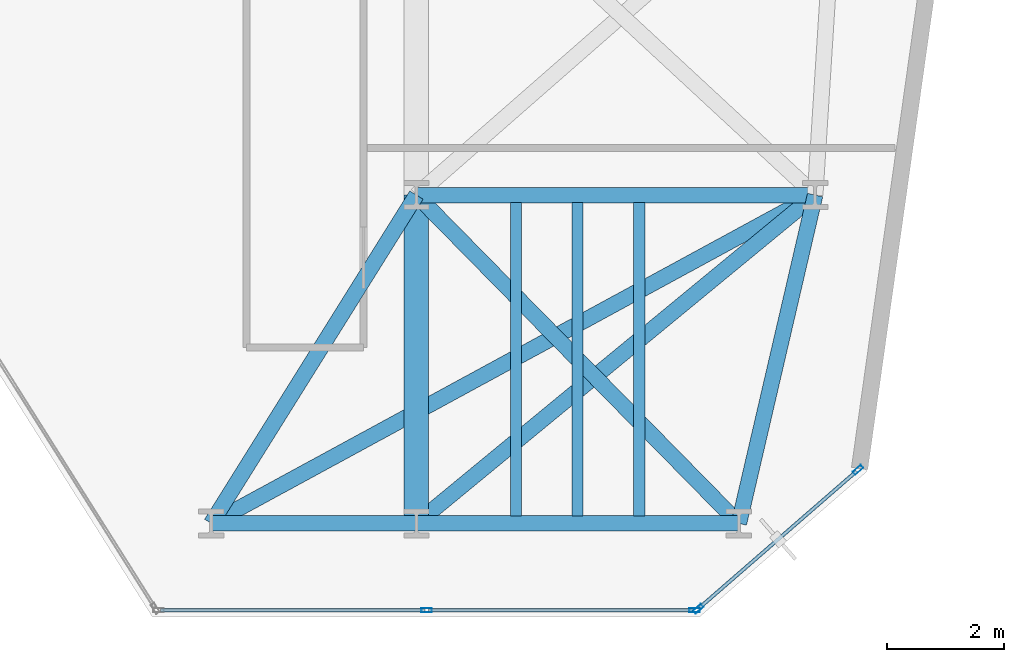
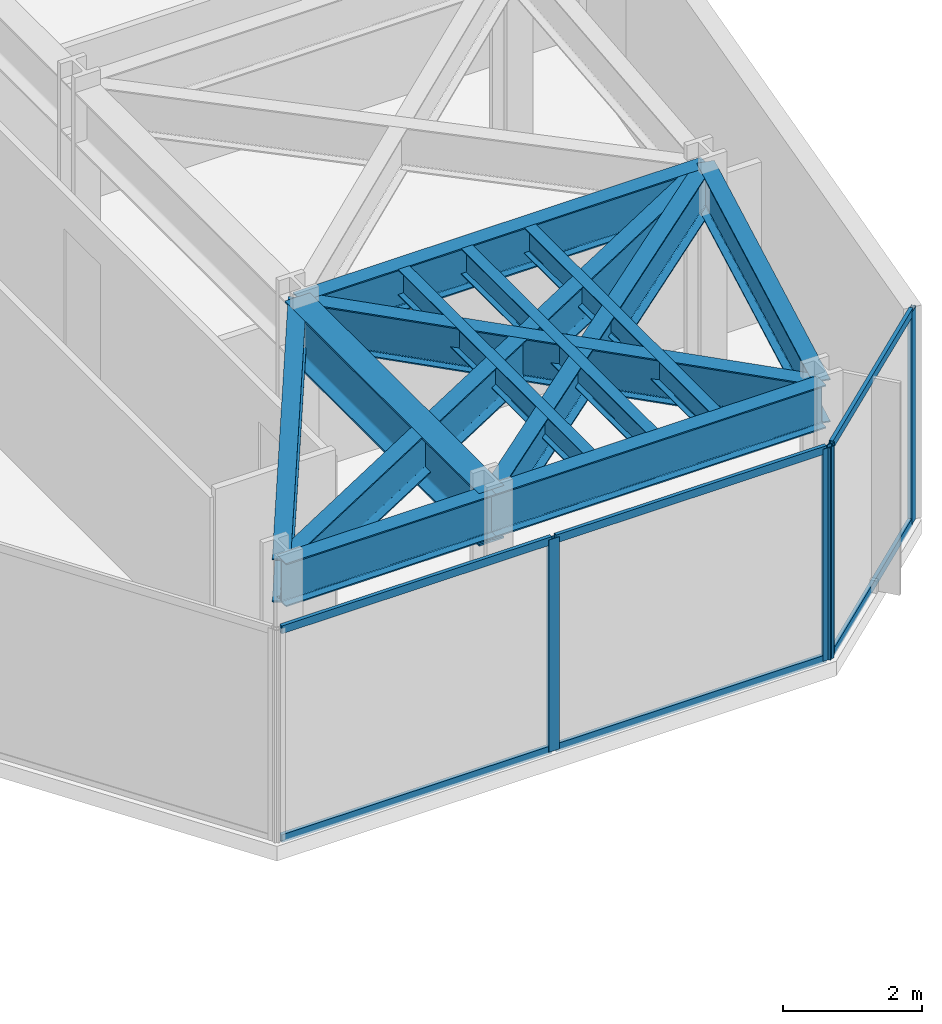
# One storey, part 13 of 25: 12 beams, 10 members, 2 elements without a shape of their own.
"""IFC4 building model written with IfcOpenShell, lengths in metres."""

from ifc_helpers import new_model, si_unit, direction, frame, origin, origin_2d, place, context, subcontext, project, spatial, hollow_rectangle, i_section, extrude, material, layer, layer_set, material_profile, profile_set, type_object, element, aggregate, save


model = new_model("IFC4")

# Units and contexts
model_context = context("Model", 3, precision=1e-05, world=origin(), true_north=direction((0.0, 1.0)))
body_context = subcontext(model_context, "Body", "Model", "MODEL_VIEW")
ifc_project = project(units=[si_unit("LENGTHUNIT", "METRE"), si_unit("AREAUNIT", "SQUARE_METRE"), si_unit("VOLUMEUNIT", "CUBIC_METRE"), si_unit("PLANEANGLEUNIT", "RADIAN"), si_unit("MASSUNIT", "GRAM", prefix="KILO")], contexts=[model_context])

# Site, building, storey
site_placement = place(None, origin())
site = spatial("IfcSite", under=ifc_project, at=site_placement, CompositionType="ELEMENT")
building_placement = place(site_placement, origin())
building = spatial("IfcBuilding", under=site, at=building_placement, Name="Kravanh Interchange Tower", CompositionType="ELEMENT")
storey_placement = place(building_placement, frame((0.0, 0.0, 65.5)))
storey = spatial("IfcBuildingStorey", under=building, at=storey_placement, Name="L15", CompositionType="ELEMENT", Elevation=65.5)

# Curtain wall, members
ifc_material_1 = material(Name="Anodised Bronze Aluminium", Category="aluminium")
ifc_layer = layer(ifc_material_1, 0.179931640625)
ifc_layer_set = layer_set([ifc_layer], Name="Unitised Curtain Wall System CW-Z1 Lower Office")
curtain_wall_type = type_object("IfcCurtainWallType", Name="Unitised Curtain Wall System CW-Z1 Lower Office", PredefinedType="NOTDEFINED", material=ifc_layer_set)
curtain_wall_1_placement = place(storey_placement, origin())
curtain_wall_1 = element("IfcCurtainWall", 1, at=curtain_wall_1_placement, inside=storey, type_object=curtain_wall_type, Name="L15 Unitised Curtain Wall CW-L15-02", PredefinedType="NOTDEFINED")
ifc_material_2 = material(Name="Anodised Bronze Aluminium", Category="aluminium")
ifc_material_profile_1 = material_profile(ifc_material_2, hollow_rectangle(XDim=0.070068359375, YDim=0.179931640625, WallThickness=0.00390625, at=origin_2d()), Name="ALU70X180X4")
ifc_profile_set_1 = profile_set([ifc_material_profile_1], Name="Anodised Bronze Aluminium")
member_type_1 = type_object("IfcMemberType", Name="Curtain Wall Mullion ALU70X180X4 Bronze", PredefinedType="MULLION", material=ifc_profile_set_1)
member_1_placement = place(storey_placement, frame((63.533203125, 3.513916015625, 0.0), z_axis=(0.0, 0.0, 1.0), x_axis=(0.656060422341, -0.754708368999, 0.0)))
member_1 = element("IfcMember", 2, at=member_1_placement, type_object=member_type_1, Name="CW-Z1 mullion 1", PredefinedType="MULLION", context=body_context, shape_type="SweptSolid", body=[
    extrude(hollow_rectangle(XDim=0.070068359375, YDim=0.179931640625, WallThickness=0.00390625, at=origin_2d()), origin(), (0.0, 0.0, 1.0), 3.739990234375),
])
member_2_placement = place(storey_placement, frame((60.805908203125, 1.14306640625, 0.0), z_axis=(0.0, 0.0, 1.0), x_axis=(0.656060422341, -0.754708368999, 0.0)))
member_2 = element("IfcMember", 3, at=member_2_placement, type_object=member_type_1, Name="CW-Z1 mullion 2", PredefinedType="MULLION", context=body_context, shape_type="SweptSolid", body=[
    extrude(hollow_rectangle(XDim=0.070068359375, YDim=0.179931640625, WallThickness=0.00390625, at=origin_2d()), origin(), (0.0, 0.0, 1.0), 3.739990234375),
])

curtain_wall_2_placement = place(storey_placement, origin())
curtain_wall_2 = element("IfcCurtainWall", 4, at=curtain_wall_2_placement, inside=storey, type_object=curtain_wall_type, Name="L15 Unitised Curtain Wall CW-L15-03", PredefinedType="NOTDEFINED")
member_3_placement = place(storey_placement, frame((60.744384765625, 1.1201171875, 0.0), z_axis=(0.0, 0.0, 1.0), x_axis=(0.0, -1.0, 0.0)))
member_3 = element("IfcMember", 5, at=member_3_placement, type_object=member_type_1, Name="CW-Z1 mullion 1", PredefinedType="MULLION", context=body_context, shape_type="SweptSolid", body=[
    extrude(hollow_rectangle(XDim=0.070068359375, YDim=0.179931640625, WallThickness=0.00390625, at=origin_2d()), origin(), (0.0, 0.0, 1.0), 3.739990234375),
])
member_4_placement = place(storey_placement, frame((56.1728515625, 1.1201171875, 0.0), z_axis=(0.0, 0.0, 1.0), x_axis=(0.0, -1.0, 0.0)))
member_4 = element("IfcMember", 6, at=member_4_placement, type_object=member_type_1, Name="CW-Z1 mullion 2", PredefinedType="MULLION", context=body_context, shape_type="SweptSolid", body=[
    extrude(hollow_rectangle(XDim=0.070068359375, YDim=0.179931640625, WallThickness=0.00390625, at=origin_2d()), origin(), (0.0, 0.0, 1.0), 3.739990234375),
])

# Member
ifc_material_3 = material(Name="Anodised Bronze Aluminium", Category="aluminium")
ifc_material_profile_2 = material_profile(ifc_material_3, hollow_rectangle(XDim=0.06005859375, YDim=0.139892578125, WallThickness=0.00390625, at=origin_2d()), Name="ALU60X140X4")
ifc_profile_set_2 = profile_set([ifc_material_profile_2], Name="Anodised Bronze Aluminium")
member_type_2 = type_object("IfcMemberType", Name="Curtain Wall Transom ALU60X140X4 Bronze", PredefinedType="USERDEFINED", material=ifc_profile_set_2)
member_5_placement = place(storey_placement, frame((63.5068359375, 3.490966796875, 0.030029296875), z_axis=(-0.754710815466, -0.656057608004, 0.0), x_axis=(0.656057608004, -0.754710815466, 0.0)))
member_5 = element("IfcMember", 7, at=member_5_placement, type_object=member_type_2, Name="CW-Z1 transom 1.1", ObjectType="TRANSOM", PredefinedType="USERDEFINED", context=body_context, shape_type="SweptSolid", body=[
    extrude(hollow_rectangle(XDim=0.06005859375, YDim=0.139892578125, WallThickness=0.00390625, at=origin_2d()), origin(), (0.0, 0.0, 1.0), 3.543701171875),
])

member_6_placement = place(storey_placement, frame((63.5068359375, 3.490966796875, 3.7099609375), z_axis=(-0.754710815466, -0.656057608004, 0.0), x_axis=(0.656057608004, -0.754710815466, 0.0)))
member_6 = element("IfcMember", 8, at=member_6_placement, type_object=member_type_2, Name="CW-Z1 transom 1.2", ObjectType="TRANSOM", PredefinedType="USERDEFINED", context=body_context, shape_type="SweptSolid", body=[
    extrude(hollow_rectangle(XDim=0.06005859375, YDim=0.139892578125, WallThickness=0.00390625, at=origin_2d()), origin(), (0.0, 0.0, 1.0), 3.543701171875),
])

aggregate(curtain_wall_1, [member_1, member_2, member_5, member_6])

member_7_placement = place(storey_placement, frame((60.70947265625, 1.1201171875, 0.030029296875), z_axis=(-1.0, 0.0, 0.0), x_axis=(0.0, -1.0, 0.0)))
member_7 = element("IfcMember", 9, at=member_7_placement, type_object=member_type_2, Name="CW-Z1 transom 1.1", ObjectType="TRANSOM", PredefinedType="USERDEFINED", context=body_context, shape_type="SweptSolid", body=[
    extrude(hollow_rectangle(XDim=0.06005859375, YDim=0.139892578125, WallThickness=0.00390625, at=origin_2d()), origin(), (0.0, 0.0, 1.0), 4.501708984375),
])

member_8_placement = place(storey_placement, frame((60.70947265625, 1.1201171875, 3.7099609375), z_axis=(-1.0, 0.0, 0.0), x_axis=(0.0, -1.0, 0.0)))
member_8 = element("IfcMember", 10, at=member_8_placement, type_object=member_type_2, Name="CW-Z1 transom 1.2", ObjectType="TRANSOM", PredefinedType="USERDEFINED", context=body_context, shape_type="SweptSolid", body=[
    extrude(hollow_rectangle(XDim=0.06005859375, YDim=0.139892578125, WallThickness=0.00390625, at=origin_2d()), origin(), (0.0, 0.0, 1.0), 4.501708984375),
])

member_9_placement = place(storey_placement, frame((56.1376953125, 1.1201171875, 0.030029296875), z_axis=(-1.0, 0.0, 0.0), x_axis=(0.0, -1.0, 0.0)))
member_9 = element("IfcMember", 11, at=member_9_placement, type_object=member_type_2, Name="CW-Z1 transom 2.1", ObjectType="TRANSOM", PredefinedType="USERDEFINED", context=body_context, shape_type="SweptSolid", body=[
    extrude(hollow_rectangle(XDim=0.06005859375, YDim=0.139892578125, WallThickness=0.00390625, at=origin_2d()), origin(), (0.0, 0.0, 1.0), 4.50146484375),
])

member_10_placement = place(storey_placement, frame((56.1376953125, 1.1201171875, 3.7099609375), z_axis=(-1.0, 0.0, 0.0), x_axis=(0.0, -1.0, 0.0)))
member_10 = element("IfcMember", 12, at=member_10_placement, type_object=member_type_2, Name="CW-Z1 transom 2.2", ObjectType="TRANSOM", PredefinedType="USERDEFINED", context=body_context, shape_type="SweptSolid", body=[
    extrude(hollow_rectangle(XDim=0.06005859375, YDim=0.139892578125, WallThickness=0.00390625, at=origin_2d()), origin(), (0.0, 0.0, 1.0), 4.50146484375),
])

aggregate(curtain_wall_2, [member_3, member_4, member_7, member_8, member_9, member_10])

# Beams
ifc_material_4 = material(Name="Structural Steel S355", Category="steel")
ifc_material_profile_3 = material_profile(ifc_material_4, i_section(OverallWidth=0.41796875, OverallDepth=0.927001953125, WebThickness=0.019287109375, FlangeThickness=0.031982421875, FilletRadius=0.028076171875, at=origin_2d()), Name="W36X231")
ifc_profile_set_3 = profile_set([ifc_material_profile_3], Name="Structural Steel S355")
beam_type_1 = type_object("IfcBeamType", Name="Floor Beam W36X231 Structural Steel S355", PredefinedType="BEAM", material=ifc_profile_set_3)
beam_1_placement = place(storey_placement, frame((56.0, 2.60009765625, 3.276611328125), z_axis=(0.0, 1.0, 0.0), x_axis=(-1.0, 0.0, 0.0)))
element("IfcBeam", 13, at=beam_1_placement, inside=storey, type_object=beam_type_1, Name="L15 Primary Floor Girder 129", PredefinedType="BEAM", context=body_context, shape_type="SweptSolid", body=[
    extrude(i_section(OverallWidth=0.41796875, OverallDepth=0.927001953125, WebThickness=0.019287109375, FlangeThickness=0.031982421875, FilletRadius=0.028076171875, at=origin_2d()), origin(), (0.0, 0.0, 1.0), 5.599853515625),
])
ifc_material_5 = material(Name="Structural Steel S355", Category="steel")
ifc_material_profile_4 = material_profile(ifc_material_5, i_section(OverallWidth=0.18994140625, OverallDepth=0.45703125, WebThickness=0.009033203125, FlangeThickness=0.014404296875, FilletRadius=0.01806640625, at=origin_2d()), Name="W18X50")
ifc_profile_set_4 = profile_set([ifc_material_profile_4], Name="Structural Steel S355")
beam_type_2 = type_object("IfcBeamType", Name="Floor Joist W18X50 Structural Steel S355", PredefinedType="JOIST", material=ifc_profile_set_4)
for number, where, z_axis, x_axis, name in (
    (14, (57.699951171875, 2.728515625, 3.511474609375), (0.0, 1.0, 0.0), (-1.0, 0.0, 0.0), "L15 Secondary Floor Joist 7"),
    (15, (58.75, 2.728515625, 3.511474609375), (0.0, 1.0, 0.0), (-1.0, 0.0, 0.0), "L15 Secondary Floor Joist 8"),
    (16, (59.800048828125, 2.728515625, 3.511474609375), (0.0, 1.0, 0.0), (-1.0, 0.0, 0.0), "L15 Secondary Floor Joist 9"),
):
    element("IfcBeam", number, at=place(storey_placement, frame(where, z_axis=z_axis, x_axis=x_axis)), inside=storey, type_object=beam_type_2, Name=name, PredefinedType="JOIST", context=body_context, shape_type="SweptSolid", body=[
        extrude(i_section(OverallWidth=0.18994140625, OverallDepth=0.45703125, WebThickness=0.009033203125, FlangeThickness=0.014404296875, FilletRadius=0.01806640625, at=origin_2d()), origin(), (0.0, 0.0, 1.0), 5.343017578125),
    ])
ifc_material_6 = material(Name="Structural Steel S355", Category="steel")
ifc_material_profile_5 = material_profile(ifc_material_6, i_section(OverallWidth=0.26708984375, OverallDepth=0.761962890625, WebThickness=0.014404296875, FlangeThickness=0.021484375, FilletRadius=0.02490234375, at=origin_2d()), Name="W30X116")
ifc_profile_set_5 = profile_set([ifc_material_profile_5], Name="Structural Steel S355")
beam_type_3 = type_object("IfcBeamType", Name="Floor Spandrel W30X116 Structural Steel S355", PredefinedType="SPANDREL", material=ifc_profile_set_5)
beam_2_placement = place(storey_placement, frame((52.5, 2.60009765625, 3.35888671875), z_axis=(1.0, 0.0, 0.0), x_axis=(0.0, 1.0, 0.0)))
element("IfcBeam", 17, at=beam_2_placement, inside=storey, type_object=beam_type_3, Name="L15 Perimeter Spandrel 125", PredefinedType="SPANDREL", context=body_context, shape_type="SweptSolid", body=[
    extrude(i_section(OverallWidth=0.26708984375, OverallDepth=0.761962890625, WebThickness=0.014404296875, FlangeThickness=0.021484375, FilletRadius=0.02490234375, at=origin_2d()), origin(), (0.0, 0.0, 1.0), 3.5),
])
beam_3_placement = place(storey_placement, frame((52.5, 2.60009765625, 3.35888671875), z_axis=(0.530008909536, 0.847992072965, 0.0), x_axis=(-0.847992072965, 0.530008909536, 0.0)))
element("IfcBeam", 18, at=beam_3_placement, inside=storey, type_object=beam_type_3, Name="L15 Perimeter Spandrel 126", PredefinedType="SPANDREL", context=body_context, shape_type="SweptSolid", body=[
    extrude(i_section(OverallWidth=0.26708984375, OverallDepth=0.761962890625, WebThickness=0.014404296875, FlangeThickness=0.021484375, FilletRadius=0.02490234375, at=origin_2d()), origin(), (0.0, 0.0, 1.0), 6.603759765625),
])
beam_4_placement = place(storey_placement, frame((52.5, 2.60009765625, 3.35888671875), z_axis=(0.878552895081, 0.47764506754, 0.0), x_axis=(-0.47764506754, 0.878552895081, 0.0)))
element("IfcBeam", 19, at=beam_4_placement, inside=storey, type_object=beam_type_3, Name="L15 Perimeter Spandrel 127", PredefinedType="SPANDREL", context=body_context, shape_type="SweptSolid", body=[
    extrude(i_section(OverallWidth=0.26708984375, OverallDepth=0.761962890625, WebThickness=0.014404296875, FlangeThickness=0.021484375, FilletRadius=0.02490234375, at=origin_2d()), origin(), (0.0, 0.0, 1.0), 11.723876953125),
])
beam_5_placement = place(storey_placement, frame((56.0, 2.60009765625, 3.35888671875), z_axis=(1.0, 0.0, 0.0), x_axis=(0.0, 1.0, 0.0)))
element("IfcBeam", 20, at=beam_5_placement, inside=storey, type_object=beam_type_3, Name="L15 Perimeter Spandrel 128", PredefinedType="SPANDREL", context=body_context, shape_type="SweptSolid", body=[
    extrude(i_section(OverallWidth=0.26708984375, OverallDepth=0.761962890625, WebThickness=0.014404296875, FlangeThickness=0.021484375, FilletRadius=0.02490234375, at=origin_2d()), origin(), (0.0, 0.0, 1.0), 5.5),
])
beam_6_placement = place(storey_placement, frame((56.0, 2.60009765625, 3.35888671875), z_axis=(0.771940635711, 0.635694623965, 0.0), x_axis=(-0.635694623965, 0.771940635711, 0.0)))
element("IfcBeam", 21, at=beam_6_placement, inside=storey, type_object=beam_type_3, Name="L15 Perimeter Spandrel 130", PredefinedType="SPANDREL", context=body_context, shape_type="SweptSolid", body=[
    extrude(i_section(OverallWidth=0.26708984375, OverallDepth=0.761962890625, WebThickness=0.014404296875, FlangeThickness=0.021484375, FilletRadius=0.02490234375, at=origin_2d()), origin(), (0.0, 0.0, 1.0), 8.80908203125),
])
beam_7_placement = place(storey_placement, frame((61.5, 2.60009765625, 3.35888671875), z_axis=(0.226143379252, 0.974094026273, 0.0), x_axis=(-0.974094026273, 0.226143379252, 0.0)))
element("IfcBeam", 22, at=beam_7_placement, inside=storey, type_object=beam_type_3, Name="L15 Perimeter Spandrel 131", PredefinedType="SPANDREL", context=body_context, shape_type="SweptSolid", body=[
    extrude(i_section(OverallWidth=0.26708984375, OverallDepth=0.761962890625, WebThickness=0.014404296875, FlangeThickness=0.021484375, FilletRadius=0.02490234375, at=origin_2d()), origin(), (0.0, 0.0, 1.0), 5.748779296875),
])
beam_8_placement = place(storey_placement, frame((61.5, 2.60009765625, 3.35888671875), z_axis=(-0.700717344595, 0.71343899738, 0.0), x_axis=(-0.71343899738, -0.700717344595, 0.0)))
element("IfcBeam", 23, at=beam_8_placement, inside=storey, type_object=beam_type_3, Name="L15 Perimeter Spandrel 132", PredefinedType="SPANDREL", context=body_context, shape_type="SweptSolid", body=[
    extrude(i_section(OverallWidth=0.26708984375, OverallDepth=0.761962890625, WebThickness=0.014404296875, FlangeThickness=0.021484375, FilletRadius=0.02490234375, at=origin_2d()), origin(), (0.0, 0.0, 1.0), 7.84912109375),
])
beam_9_placement = place(storey_placement, frame((56.0, 8.199951171875, 3.35888671875), z_axis=(1.0, 0.0, 0.0), x_axis=(0.0, 1.0, 0.0)))
element("IfcBeam", 24, at=beam_9_placement, inside=storey, type_object=beam_type_3, Name="L15 Perimeter Spandrel 142", PredefinedType="SPANDREL", context=body_context, shape_type="SweptSolid", body=[
    extrude(i_section(OverallWidth=0.26708984375, OverallDepth=0.761962890625, WebThickness=0.014404296875, FlangeThickness=0.021484375, FilletRadius=0.02490234375, at=origin_2d()), origin(), (0.0, 0.0, 1.0), 6.800048828125),
])

save(model, "model.ifc")
